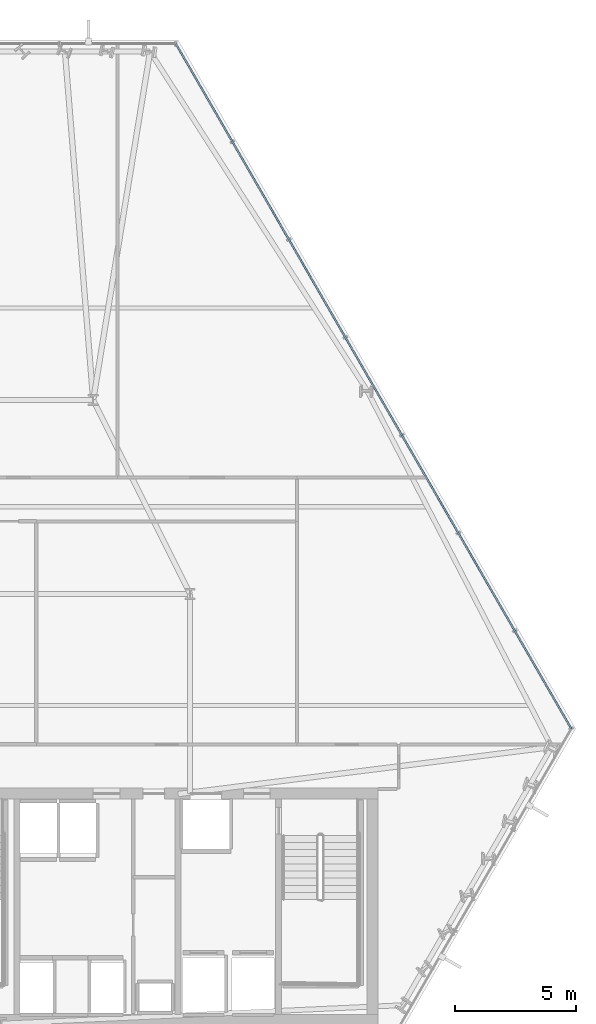
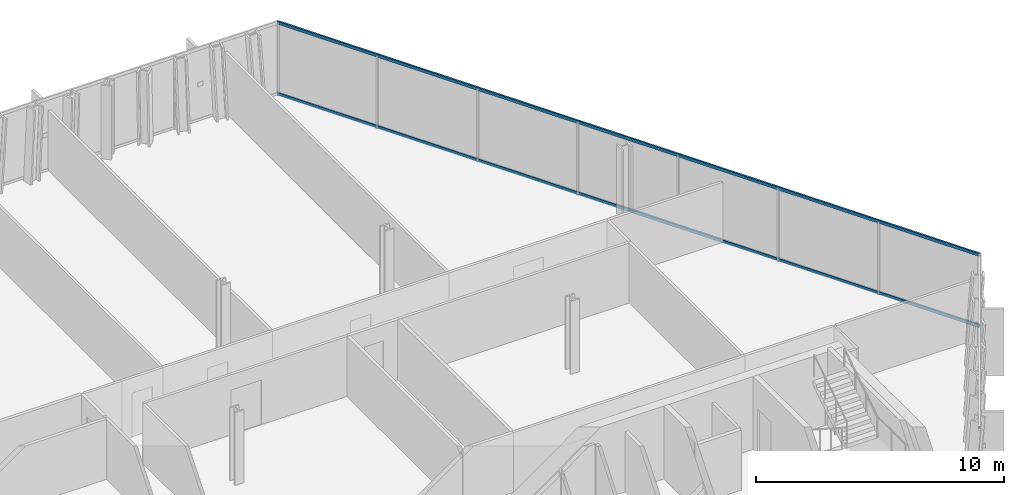
# One storey, part 20 of 33: 2 members, 1 element without a shape of its own.
"""IFC4 building model written with IfcOpenShell, lengths in metres."""

from ifc_helpers import new_model, si_unit, direction, frame, origin, origin_2d, place, context, subcontext, project, spatial, hollow_rectangle, extrude, material, layer, layer_set, material_profile, profile_set, type_object, element, aggregate, save


model = new_model("IFC4")

# Units and contexts
model_context = context("Model", 3, precision=1e-05, world=origin(), true_north=direction((0.0, 1.0)))
body_context = subcontext(model_context, "Body", "Model", "MODEL_VIEW")
ifc_project = project(units=[si_unit("LENGTHUNIT", "METRE"), si_unit("AREAUNIT", "SQUARE_METRE"), si_unit("VOLUMEUNIT", "CUBIC_METRE"), si_unit("PLANEANGLEUNIT", "RADIAN"), si_unit("MASSUNIT", "GRAM", prefix="KILO")], contexts=[model_context])

# Site, building, storey
site_placement = place(None, origin())
site = spatial("IfcSite", under=ifc_project, at=site_placement, CompositionType="ELEMENT")
building_placement = place(site_placement, origin())
building = spatial("IfcBuilding", under=site, at=building_placement, Name="Ndaravel Arena Tower", CompositionType="ELEMENT")
storey_placement = place(building_placement, frame((0.0, 0.0, 89.199951171875)))
storey = spatial("IfcBuildingStorey", under=building, at=storey_placement, Name="L20", CompositionType="ELEMENT", Elevation=89.199951171875)

# Curtain wall, members
ifc_material_1 = material(Name="Aluminium", Category="aluminium")
ifc_layer = layer(ifc_material_1, 0.179931640625)
ifc_layer_set = layer_set([ifc_layer], Name="Aluminium")
curtain_wall_type = type_object("IfcCurtainWallType", Name="CW-SYS-03", PredefinedType="NOTDEFINED", material=ifc_layer_set)
curtain_wall_placement = place(storey_placement, origin())
curtain_wall = element("IfcCurtainWall", 1, at=curtain_wall_placement, inside=storey, type_object=curtain_wall_type, Name="L20 Faceted Crystal Curtain Wall CW-L20-E03", PredefinedType="NOTDEFINED")
ifc_material_2 = material(Name="Aluminium", Category="aluminium")
ifc_material_profile = material_profile(ifc_material_2, hollow_rectangle(XDim=0.074951171875, YDim=0.14990234375, WallThickness=0.00390625, at=origin_2d()), Name="CW TRANSOM 75x150x4")
ifc_profile_set = profile_set([ifc_material_profile], Name="Aluminium")
member_type = type_object("IfcMemberType", Name="MEM-CW-TRN150", PredefinedType="USERDEFINED", material=ifc_profile_set)
member_1_placement = place(storey_placement, frame((65.518798828125, 17.64794921875, 0.0400390625), z_axis=(-0.499995870901, 0.866027787708, 0.0), x_axis=(-0.866027787708, -0.499995870901, 0.0)))
member_1 = element("IfcMember", 2, at=member_1_placement, type_object=member_type, Name="CW-L20-E03 Transom 01", ObjectType="TRANSOM", PredefinedType="USERDEFINED", context=body_context, shape_type="SweptSolid", body=[
    extrude(hollow_rectangle(XDim=0.074951171875, YDim=0.14990234375, WallThickness=0.00390625, at=origin_2d()), origin(), (0.0, 0.0, 1.0), 32.617919921875),
])
member_2_placement = place(storey_placement, frame((65.518798828125, 17.64794921875, 3.5400390625), z_axis=(-0.499995870901, 0.866027787708, 0.0), x_axis=(-0.866027787708, -0.499995870901, 0.0)))
member_2 = element("IfcMember", 3, at=member_2_placement, type_object=member_type, Name="CW-L20-E03 Transom 02", ObjectType="TRANSOM", PredefinedType="USERDEFINED", context=body_context, shape_type="SweptSolid", body=[
    extrude(hollow_rectangle(XDim=0.074951171875, YDim=0.14990234375, WallThickness=0.00390625, at=origin_2d()), origin(), (0.0, 0.0, 1.0), 32.617919921875),
])
aggregate(curtain_wall, [member_1, member_2])

save(model, "model.ifc")
